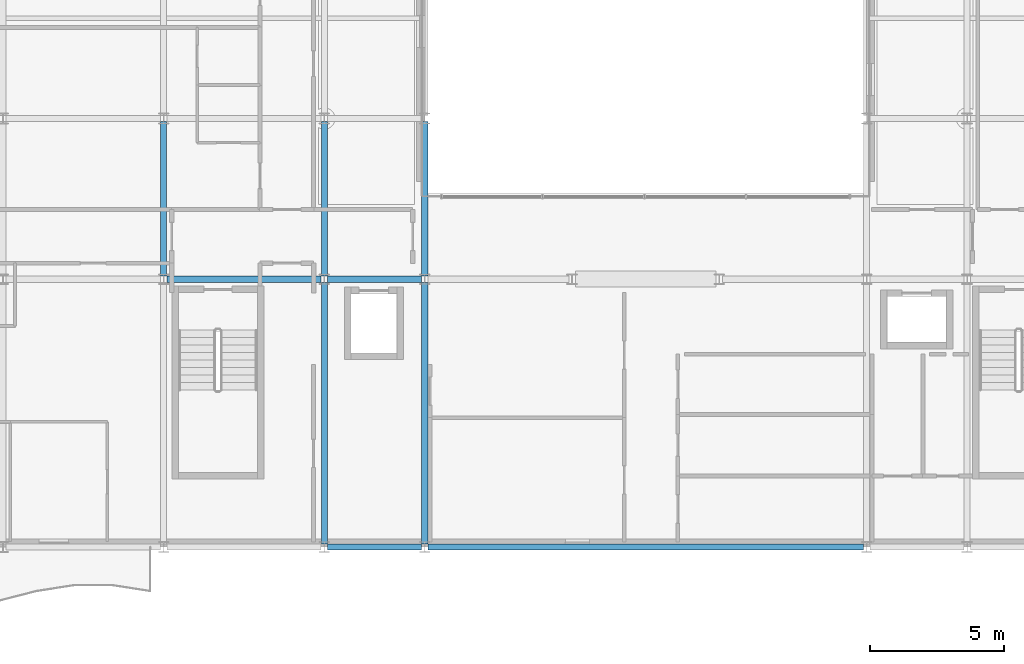
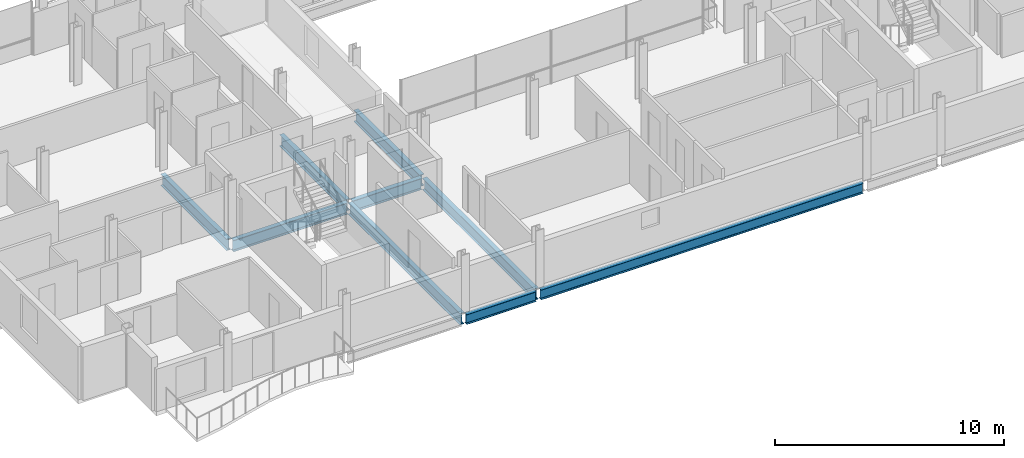
# One storey, part 4 of 36: 9 beams.
"""IFC4 building model written with IfcOpenShell, lengths in metres."""

import ifcopenshell
import ifcopenshell.guid

model = None  # the IFC model being written
_history = None  # IfcOwnerHistory: only IFC2X3 demands one
_inside = {}  # id of a spatial element -> (the spatial element, [elements in it])
_under = {}  # id of a project, library or spatial element -> (it, [spatial elements below it])
_declared = {}  # id of a project -> (the project, [libraries it declares])
_typed = {}  # id of a type object -> (the type object, [elements of that type])
_made_of = {}  # id of a material, layer set ... -> (it, [elements and type objects made of it])


def new_model(schema):
    """Start an empty IFC model of exactly this schema.

    Asked for "IFC4X3", IfcOpenShell would pick the latest addendum, in which some entities
    have other attributes; the version numbers below select the first issue.
    IFC2X3 requires an IfcOwnerHistory on every rooted entity: one is made here for all.
    """
    global model, _history
    if schema == "IFC4X3":
        model = ifcopenshell.file(schema_version=(4, 3, 0, 0))
    else:
        model = ifcopenshell.file(schema=schema)
    _inside.clear()
    _under.clear()
    _declared.clear()
    _typed.clear()
    _made_of.clear()
    _history = None
    if model.schema == "IFC2X3":
        org = make("IfcOrganization", Name="unknown")
        user = make(
            "IfcPersonAndOrganization",
            ThePerson=make("IfcPerson", FamilyName="unknown"),
            TheOrganization=org,
        )
        app = make(
            "IfcApplication",
            ApplicationDeveloper=org,
            Version="unknown",
            ApplicationFullName="unknown",
            ApplicationIdentifier="unknown",
        )
        _history = make(
            "IfcOwnerHistory",
            OwningUser=user,
            OwningApplication=app,
            ChangeAction="ADDED",
            CreationDate=0,
        )
    return model


def make(cls, **values):
    """One entity of the class cls with the attributes given. An attribute that is None is left unset."""
    return model.create_entity(
        cls, **{name: value for name, value in values.items() if value is not None}
    )


def rooted(cls, **values):
    """An entity with a GlobalId (a new one), such as an element, a storey or a relation."""
    return make(cls, GlobalId=ifcopenshell.guid.new(), OwnerHistory=_history, **values)


def si_unit(unit_type, name, prefix=None):
    """IfcSIUnit, for example si_unit("LENGTHUNIT", "METRE", prefix="MILLI")."""
    return make("IfcSIUnit", UnitType=unit_type, Prefix=prefix, Name=name)


def assignment(units):
    """IfcUnitAssignment: the units of a project."""
    return None if units is None else make("IfcUnitAssignment", Units=units)


def point(xyz):
    """IfcCartesianPoint."""
    return None if xyz is None else make("IfcCartesianPoint", Coordinates=xyz)


def direction(xyz):
    """IfcDirection."""
    return None if xyz is None else make("IfcDirection", DirectionRatios=xyz)


def frame(location, z_axis=None, x_axis=None):
    """IfcAxis2Placement3D, a coordinate frame: its origin and axes. An axis left out is left unset."""
    return make(
        "IfcAxis2Placement3D",
        Location=point(location),
        Axis=direction(z_axis),
        RefDirection=direction(x_axis),
    )


def frame_2d(location, x_axis=None):
    """IfcAxis2Placement2D, a coordinate frame in the plane: its origin and x axis."""
    return make(
        "IfcAxis2Placement2D", Location=point(location), RefDirection=direction(x_axis)
    )


def origin():
    """The frame at (0, 0, 0) with its axes left unset."""
    return frame((0.0, 0.0, 0.0))


def origin_2d():
    """The frame at (0, 0) in the plane with its x axis left unset."""
    return frame_2d((0.0, 0.0))


def place(relative_to, where):
    """IfcLocalPlacement: puts the frame where relative to a parent placement (None: the world)."""
    return make(
        "IfcLocalPlacement", PlacementRelTo=relative_to, RelativePlacement=where
    )


def context(
    kind, dimensions, precision=None, world=None, true_north=None, identifier=None
):
    """IfcGeometricRepresentationContext, for example the 3D "Model" context."""
    return make(
        "IfcGeometricRepresentationContext",
        ContextIdentifier=identifier,
        ContextType=kind,
        CoordinateSpaceDimension=dimensions,
        Precision=precision,
        WorldCoordinateSystem=world,
        TrueNorth=true_north,
    )


def subcontext(parent, identifier, kind, view, scale=None):
    """IfcGeometricRepresentationSubContext, for example "Body" below "Model"."""
    return make(
        "IfcGeometricRepresentationSubContext",
        ContextIdentifier=identifier,
        ContextType=kind,
        ParentContext=parent,
        TargetScale=scale,
        TargetView=view,
    )


def project(units=None, contexts=None):
    """IfcProject with its units and contexts."""
    return rooted(
        "IfcProject",
        Name="project",
        RepresentationContexts=contexts,
        UnitsInContext=assignment(units),
    )


def spatial(cls, under=None, at=None, **own):
    """A site, building, storey or space (cls), placed at a placement, below another one or the project."""
    s = rooted(cls, ObjectPlacement=at, **own)
    if under is not None:
        _under.setdefault(under.id(), (under, []))[1].append(s)
    return s


def profile(cls, at=None, kind="AREA", **sizes):
    """A parametric profile (cls). Its sizes go by their IFC names, for example OverallWidth=200.0."""
    return make(cls, ProfileType=kind, Position=at, **sizes)


def i_section(**sizes):
    """IfcIShapeProfileDef."""
    return profile("IfcIShapeProfileDef", **sizes)


def extrude(swept, where, along, depth):
    """IfcExtrudedAreaSolid: the profile swept, set in the frame where, extruded along a direction by depth."""
    return make(
        "IfcExtrudedAreaSolid",
        SweptArea=swept,
        Position=where,
        ExtrudedDirection=direction(along),
        Depth=depth,
    )


def shape(context_of_items, identifier, shape_type, items):
    """IfcShapeRepresentation: the items that make up one representation, for example the "Body"."""
    return make(
        "IfcShapeRepresentation",
        ContextOfItems=context_of_items,
        RepresentationIdentifier=identifier,
        RepresentationType=shape_type,
        Items=items,
    )


def material(Name=None, Category=None):
    """IfcMaterial."""
    return make("IfcMaterial", Name=Name, Category=Category)


def material_profile(
    of_material, cross_section, Name=None, Category=None, Priority=None
):
    """IfcMaterialProfile: a cross section and its material."""
    return make(
        "IfcMaterialProfile",
        Name=Name,
        Material=of_material,
        Profile=cross_section,
        Priority=Priority,
        Category=Category,
    )


def profile_set(profiles, Name=None, composite=None):
    """IfcMaterialProfileSet."""
    return make(
        "IfcMaterialProfileSet",
        Name=Name,
        MaterialProfiles=profiles,
        CompositeProfile=composite,
    )


def made_of(thing, what):
    """Note that an element or type object is made of a material, layer set ...; save() writes the relation."""
    if what is not None:
        _made_of.setdefault(what.id(), (what, []))[1].append(thing)
    return thing


def type_object(cls, material=None, **own):
    """A type object (cls), such as IfcWallType, which elements share."""
    return made_of(rooted(cls, **own), material)


def element(
    cls,
    number,
    at=None,
    inside=None,
    cuts=None,
    type_object=None,
    material=None,
    context=None,
    identifier="Body",
    shape_type=None,
    held_by="IfcProductDefinitionShape",
    body=None,
    shapes=None,
    **own,
):
    """One element of the class cls, such as IfcWall. Its Tag is "e" and its number.

    at: its placement. inside: the storey or other place that contains it. cuts: it is an
    opening in that element (IfcRelVoidsElement). A single representation is given by context,
    identifier, shape_type and body (its items); several are given by shapes. held_by: the class
    of the entity that holds the representations. save() writes the other relations.
    """
    e = rooted(cls, Tag="e%d" % number, ObjectPlacement=at, **own)
    if body is not None:
        shapes = [shape(context, identifier, shape_type, body)]
    if shapes is not None:
        e.Representation = make(held_by, Representations=shapes)
    if inside is not None:
        _inside.setdefault(inside.id(), (inside, []))[1].append(e)
    if cuts is not None:
        rooted(
            "IfcRelVoidsElement", RelatingBuildingElement=cuts, RelatedOpeningElement=e
        )
    if type_object is not None:
        _typed.setdefault(type_object.id(), (type_object, []))[1].append(e)
    return made_of(e, material)


def aggregate(whole, parts):
    """IfcRelAggregates: a whole, such as a stair, and the parts it consists of."""
    return rooted("IfcRelAggregates", RelatingObject=whole, RelatedObjects=parts)


def save(model, path):
    """Write the relations noted so far, then the file.

    IfcRelAggregates (storeys below a building ...), IfcRelContainedInSpatialStructure (elements
    in a storey), IfcRelDefinesByType, IfcRelAssociatesMaterial and IfcRelDeclares: one each for
    every whole, place, type object, material and project.
    """
    for whole, parts in _under.values():
        aggregate(whole, parts)
    for where, things in _inside.values():
        rooted(
            "IfcRelContainedInSpatialStructure",
            RelatedElements=things,
            RelatingStructure=where,
        )
    for kind, things in _typed.values():
        rooted("IfcRelDefinesByType", RelatedObjects=things, RelatingType=kind)
    for what, things in _made_of.values():
        rooted("IfcRelAssociatesMaterial", RelatedObjects=things, RelatingMaterial=what)
    for by, libraries in _declared.values():
        rooted("IfcRelDeclares", RelatingContext=by, RelatedDefinitions=libraries)
    model.write(path)


model = new_model("IFC4")

# Units and contexts
model_context = context("Model", 3, precision=1e-05, world=origin(), true_north=direction((0.0, 1.0)))
body_context = subcontext(model_context, "Body", "Model", "MODEL_VIEW")
ifc_project = project(units=[si_unit("LENGTHUNIT", "METRE"), si_unit("AREAUNIT", "SQUARE_METRE"), si_unit("VOLUMEUNIT", "CUBIC_METRE"), si_unit("PLANEANGLEUNIT", "RADIAN"), si_unit("MASSUNIT", "GRAM", prefix="KILO")], contexts=[model_context])

# Site, building, storey
site_placement = place(None, origin())
site = spatial("IfcSite", under=ifc_project, at=site_placement, CompositionType="ELEMENT")
building_placement = place(site_placement, origin())
building = spatial("IfcBuilding", under=site, at=building_placement, Name="Brevholm Reach", CompositionType="ELEMENT")
storey_placement = place(building_placement, frame((0.0, 0.0, 175.89990234375)))
storey = spatial("IfcBuildingStorey", under=building, at=storey_placement, Name="L53", CompositionType="ELEMENT", Elevation=175.89990234375)

# Beams
ifc_material_1 = material(Name="Structural Steel S355J2", Category="steel")
ifc_material_profile_1 = material_profile(ifc_material_1, i_section(OverallWidth=0.209228515625, OverallDepth=0.533203125, WebThickness=0.010009765625, FlangeThickness=0.015625, FilletRadius=0.0126953125, at=origin_2d()), Name="UKB 533x210x92")
ifc_profile_set_1 = profile_set([ifc_material_profile_1], Name="Structural Steel S355J2")
beam_type_1 = type_object("IfcBeamType", Name="BM-SP533", PredefinedType="SPANDREL", material=ifc_profile_set_1)
beam_1_placement = place(storey_placement, frame((18.1201171875, 0.0, -0.4765625), z_axis=(1.0, 0.0, 0.0), x_axis=(0.0, 1.0, 0.0)))
element("IfcBeam", 1, at=beam_1_placement, inside=storey, type_object=beam_type_1, Name="L53 SP-02 Framing Beam", PredefinedType="SPANDREL", context=body_context, shape_type="SweptSolid", body=[
    extrude(i_section(OverallWidth=0.209228515625, OverallDepth=0.533203125, WebThickness=0.010009765625, FlangeThickness=0.015625, FilletRadius=0.0126953125, at=origin_2d()), origin(), (0.0, 0.0, 1.0), 3.509765625),
])
beam_2_placement = place(storey_placement, frame((21.8701171875, 0.0, -0.4765625), z_axis=(1.0, 0.0, 0.0), x_axis=(0.0, 1.0, 0.0)))
element("IfcBeam", 2, at=beam_2_placement, inside=storey, type_object=beam_type_1, Name="L53 SP-02 Framing Beam", PredefinedType="SPANDREL", context=body_context, shape_type="SweptSolid", body=[
    extrude(i_section(OverallWidth=0.209228515625, OverallDepth=0.533203125, WebThickness=0.010009765625, FlangeThickness=0.015625, FilletRadius=0.0126953125, at=origin_2d()), origin(), (0.0, 0.0, 1.0), 16.259765625),
])
ifc_material_2 = material(Name="Structural Steel S355J2", Category="steel")
ifc_material_profile_2 = material_profile(ifc_material_2, i_section(OverallWidth=0.22900390625, OverallDepth=0.6123046875, WebThickness=0.011962890625, FlangeThickness=0.01953125, FilletRadius=0.0126953125, at=origin_2d()), Name="UKB 610x229x125")
ifc_profile_set_2 = profile_set([ifc_material_profile_2], Name="Structural Steel S355J2")
beam_type_2 = type_object("IfcBeamType", Name="BM-SP610", PredefinedType="SPANDREL", material=ifc_profile_set_2)
beam_3_placement = place(storey_placement, frame((12.1201171875, 10.0, -0.51611328125), z_axis=(1.0, 0.0, 0.0), x_axis=(0.0, 1.0, 0.0)))
element("IfcBeam", 3, at=beam_3_placement, inside=storey, type_object=beam_type_2, Name="L53 SP-01 Framing Beam", PredefinedType="SPANDREL", context=body_context, shape_type="SweptSolid", body=[
    extrude(i_section(OverallWidth=0.22900390625, OverallDepth=0.6123046875, WebThickness=0.011962890625, FlangeThickness=0.01953125, FilletRadius=0.0126953125, at=origin_2d()), origin(), (0.0, 0.0, 1.0), 5.759765625),
])
beam_4_placement = place(storey_placement, frame((18.1201171875, 10.0, -0.51611328125), z_axis=(1.0, 0.0, 0.0), x_axis=(0.0, 1.0, 0.0)))
element("IfcBeam", 4, at=beam_4_placement, inside=storey, type_object=beam_type_2, Name="L53 SP-01 Framing Beam", PredefinedType="SPANDREL", context=body_context, shape_type="SweptSolid", body=[
    extrude(i_section(OverallWidth=0.22900390625, OverallDepth=0.6123046875, WebThickness=0.011962890625, FlangeThickness=0.01953125, FilletRadius=0.0126953125, at=origin_2d()), origin(), (0.0, 0.0, 1.0), 3.509765625),
])
beam_5_placement = place(storey_placement, frame((12.0, 10.1201171875, -0.51611328125), z_axis=(0.0, 1.0, 0.0), x_axis=(-1.0, 0.0, 0.0)))
element("IfcBeam", 5, at=beam_5_placement, inside=storey, type_object=beam_type_2, Name="L53 SP-01 Framing Beam", PredefinedType="SPANDREL", context=body_context, shape_type="SweptSolid", body=[
    extrude(i_section(OverallWidth=0.22900390625, OverallDepth=0.6123046875, WebThickness=0.011962890625, FlangeThickness=0.01953125, FilletRadius=0.0126953125, at=origin_2d()), origin(), (0.0, 0.0, 1.0), 5.759765625),
])
beam_6_placement = place(storey_placement, frame((18.0, 0.1201171875, -0.51611328125), z_axis=(0.0, 1.0, 0.0), x_axis=(-1.0, 0.0, 0.0)))
element("IfcBeam", 6, at=beam_6_placement, inside=storey, type_object=beam_type_2, Name="L53 SP-01 Framing Beam", PredefinedType="SPANDREL", context=body_context, shape_type="SweptSolid", body=[
    extrude(i_section(OverallWidth=0.22900390625, OverallDepth=0.6123046875, WebThickness=0.011962890625, FlangeThickness=0.01953125, FilletRadius=0.0126953125, at=origin_2d()), origin(), (0.0, 0.0, 1.0), 9.759765625),
])
beam_7_placement = place(storey_placement, frame((18.0, 10.1201171875, -0.51611328125), z_axis=(0.0, 1.0, 0.0), x_axis=(-1.0, 0.0, 0.0)))
element("IfcBeam", 7, at=beam_7_placement, inside=storey, type_object=beam_type_2, Name="L53 SP-01 Framing Beam", PredefinedType="SPANDREL", context=body_context, shape_type="SweptSolid", body=[
    extrude(i_section(OverallWidth=0.22900390625, OverallDepth=0.6123046875, WebThickness=0.011962890625, FlangeThickness=0.01953125, FilletRadius=0.0126953125, at=origin_2d()), origin(), (0.0, 0.0, 1.0), 5.759765625),
])
beam_8_placement = place(storey_placement, frame((21.75, 0.1201171875, -0.51611328125), z_axis=(0.0, 1.0, 0.0), x_axis=(-1.0, 0.0, 0.0)))
element("IfcBeam", 8, at=beam_8_placement, inside=storey, type_object=beam_type_2, Name="L53 SP-01 Framing Beam", PredefinedType="SPANDREL", context=body_context, shape_type="SweptSolid", body=[
    extrude(i_section(OverallWidth=0.22900390625, OverallDepth=0.6123046875, WebThickness=0.011962890625, FlangeThickness=0.01953125, FilletRadius=0.0126953125, at=origin_2d()), origin(), (0.0, 0.0, 1.0), 9.759765625),
])
beam_9_placement = place(storey_placement, frame((21.75, 10.1201171875, -0.51611328125), z_axis=(0.0, 1.0, 0.0), x_axis=(-1.0, 0.0, 0.0)))
element("IfcBeam", 9, at=beam_9_placement, inside=storey, type_object=beam_type_2, Name="L53 SP-01 Framing Beam", PredefinedType="SPANDREL", context=body_context, shape_type="SweptSolid", body=[
    extrude(i_section(OverallWidth=0.22900390625, OverallDepth=0.6123046875, WebThickness=0.011962890625, FlangeThickness=0.01953125, FilletRadius=0.0126953125, at=origin_2d()), origin(), (0.0, 0.0, 1.0), 5.759765625),
])

save(model, "model.ifc")
